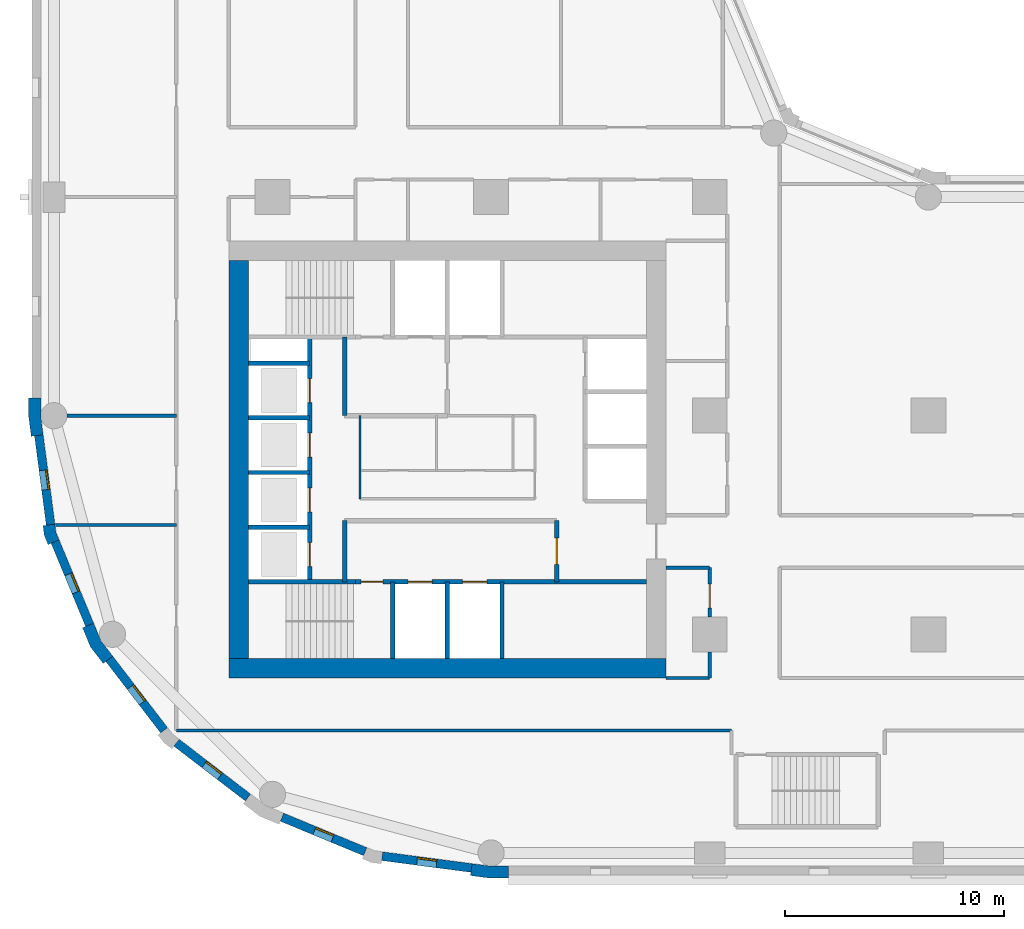
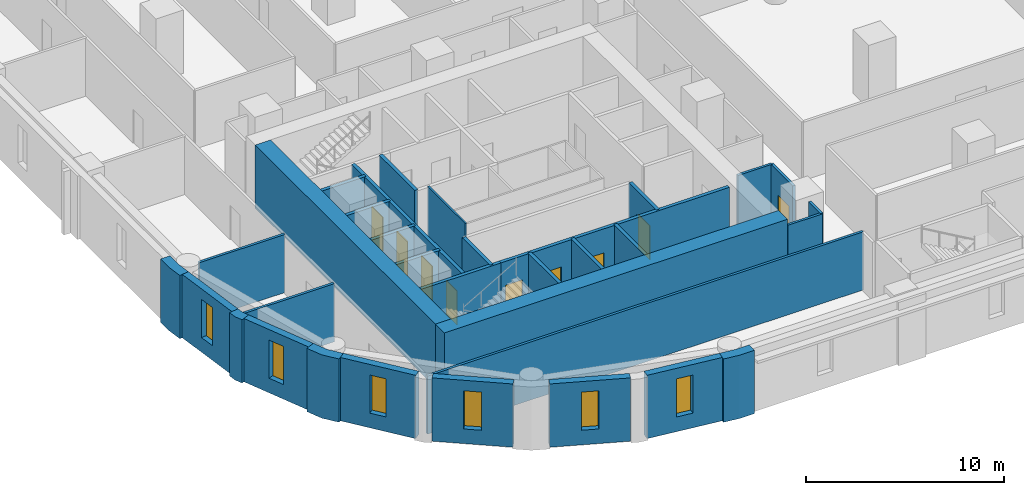
# One storey, part 2 of 10: 33 walls, 9 doors, 6 windows, 15 openings.
"""IFC4 building model written with IfcOpenShell, lengths in metres."""

from ifc_helpers import new_model, si_unit, direction, frame, frame_2d, origin, place, context, subcontext, project, spatial, polyline, rectangle, outline, extrude, material, layer, layer_set, type_object, element, fill, save


model = new_model("IFC4")

# Units and contexts
model_context = context("Model", 3, precision=1e-05, world=origin(), true_north=direction((0.0, 1.0)))
body_context = subcontext(model_context, "Body", "Model", "MODEL_VIEW")
ifc_project = project(units=[si_unit("LENGTHUNIT", "METRE"), si_unit("AREAUNIT", "SQUARE_METRE"), si_unit("VOLUMEUNIT", "CUBIC_METRE"), si_unit("PLANEANGLEUNIT", "RADIAN"), si_unit("MASSUNIT", "GRAM", prefix="KILO")], contexts=[model_context])

# Site, building, storey
site_placement = place(None, origin())
site = spatial("IfcSite", under=ifc_project, at=site_placement, CompositionType="ELEMENT")
building_placement = place(site_placement, origin())
building = spatial("IfcBuilding", under=site, at=building_placement, Name="Qaws Garden Tower", CompositionType="ELEMENT")
storey_placement = place(building_placement, frame((0.0, 0.0, 62.699951171875)))
storey = spatial("IfcBuildingStorey", under=building, at=storey_placement, Name="L15", CompositionType="ELEMENT", Elevation=62.699951171875)

# Wall, opening, window
ifc_material_1 = material(Name="Clay facing brick masonry", Category="masonry")
ifc_layer_1 = layer(ifc_material_1, 0.39990234375)
ifc_layer_set_1 = layer_set([ifc_layer_1], Name="Clay facing brick masonry")
wall_type_1 = type_object("IfcWallType", Name="Brick infill wall 400", PredefinedType="SOLIDWALL", material=ifc_layer_set_1)
wall_1_placement = place(storey_placement, frame((-0.688720703125, 19.102294921875, 0.0), z_axis=(0.0, 0.0, 1.0), x_axis=(0.130514280502, -0.991446429508, 0.0)))
wall_1 = element("IfcWall", 1, at=wall_1_placement, inside=storey, type_object=wall_type_1, Name="E-L15-infill-27", PredefinedType="SOLIDWALL", context=body_context, shape_type="SweptSolid", body=[
    extrude(rectangle(XDim=4.120849609375, YDim=0.39990234375, at=frame_2d((2.060546875, 0.0))), origin(), (0.0, 0.0, 1.0), 3.900146484375),
])
opening_1_placement = place(wall_1_placement, frame((1.610595703125, 0.0, 0.89990234375)))
opening_1 = element("IfcOpeningElement", 2, at=opening_1_placement, cuts=wall_1, Name="Opening W09", PredefinedType="OPENING", context=body_context, shape_type="SweptSolid", body=[
    extrude(rectangle(XDim=0.89990234375, YDim=2.35009765625, at=frame_2d((0.449951171875, 1.175048828125))), frame((0.0, 0.2099609375, 0.0), z_axis=(0.0, -1.0, 0.0), x_axis=(1.0, 0.0, 0.0)), (0.0, 0.0, 1.0), 0.419921875),
])
ifc_material_2 = material(Name="Aluminium framed window, clear glazing", Category="aluminium")
window_type = type_object("IfcWindowType", Name="Slit window 900 x 2350", PartitioningType="SINGLE_PANEL", PredefinedType="WINDOW", material=ifc_material_2)
window_1_placement = place(opening_1_placement, origin())
window_1 = element("IfcWindow", 3, at=window_1_placement, inside=storey, type_object=window_type, Name="E-L15-window-27-0", OverallHeight=2.35009765625, OverallWidth=0.89990234375, PartitioningType="SINGLE_PANEL", PredefinedType="WINDOW", context=body_context, shape_type="SweptSolid", body=[
    extrude(rectangle(XDim=0.89990234375, YDim=2.35009765625, at=frame_2d((0.449951171875, 1.175048828125))), frame((0.0, 0.159912109375, 0.0), z_axis=(0.0, -1.0, 0.0), x_axis=(1.0, 0.0, 0.0)), (0.0, 0.0, 1.0), 0.06005859375),
])
fill(opening_1, window_1)

wall_2_placement = place(storey_placement, frame((0.05712890625, 14.240234375, 0.0), z_axis=(0.0, 0.0, 1.0), x_axis=(0.382721546029, -0.923863744394, 0.0)))
wall_2 = element("IfcWall", 4, at=wall_2_placement, inside=storey, type_object=wall_type_1, Name="E-L15-infill-28", PredefinedType="SOLIDWALL", context=body_context, shape_type="SweptSolid", body=[
    extrude(rectangle(XDim=4.120849609375, YDim=0.39990234375, at=frame_2d((2.060546875, 0.0))), origin(), (0.0, 0.0, 1.0), 3.900146484375),
])
opening_2_placement = place(wall_2_placement, frame((1.610595703125, 0.0, 0.89990234375)))
opening_2 = element("IfcOpeningElement", 5, at=opening_2_placement, cuts=wall_2, Name="Opening W09", PredefinedType="OPENING", context=body_context, shape_type="SweptSolid", body=[
    extrude(rectangle(XDim=0.89990234375, YDim=2.35009765625, at=frame_2d((0.449951171875, 1.175048828125))), frame((0.0, 0.2099609375, 0.0), z_axis=(0.0, -1.0, 0.0), x_axis=(1.0, 0.0, 0.0)), (0.0, 0.0, 1.0), 0.419921875),
])
window_2_placement = place(opening_2_placement, origin())
window_2 = element("IfcWindow", 6, at=window_2_placement, inside=storey, type_object=window_type, Name="E-L15-window-28-0", OverallHeight=2.35009765625, OverallWidth=0.89990234375, PartitioningType="SINGLE_PANEL", PredefinedType="WINDOW", context=body_context, shape_type="SweptSolid", body=[
    extrude(rectangle(XDim=0.89990234375, YDim=2.35009765625, at=frame_2d((0.449951171875, 1.175048828125))), frame((0.0, 0.159912109375, 0.0), z_axis=(0.0, -1.0, 0.0), x_axis=(1.0, 0.0, 0.0)), (0.0, 0.0, 1.0), 0.06005859375),
])
fill(opening_2, window_2)

wall_3_placement = place(storey_placement, frame((2.53173828125, 8.87841796875, 0.0), z_axis=(0.0, 0.0, 1.0), x_axis=(0.608759824817, -0.793354571229, 0.0)))
wall_3 = element("IfcWall", 7, at=wall_3_placement, inside=storey, type_object=wall_type_1, Name="E-L15-infill-29", PredefinedType="SOLIDWALL", context=body_context, shape_type="SweptSolid", body=[
    extrude(rectangle(XDim=4.12109375, YDim=0.39990234375, at=frame_2d((2.060546875, 0.0))), origin(), (0.0, 0.0, 1.0), 3.900146484375),
])
opening_3_placement = place(wall_3_placement, frame((1.610595703125, 0.0, 0.89990234375)))
opening_3 = element("IfcOpeningElement", 8, at=opening_3_placement, cuts=wall_3, Name="Opening W09", PredefinedType="OPENING", context=body_context, shape_type="SweptSolid", body=[
    extrude(rectangle(XDim=0.89990234375, YDim=2.35009765625, at=frame_2d((0.449951171875, 1.175048828125))), frame((0.0, 0.2099609375, 0.0), z_axis=(0.0, -1.0, 0.0), x_axis=(1.0, 0.0, 0.0)), (0.0, 0.0, 1.0), 0.419921875),
])
window_3_placement = place(opening_3_placement, origin())
window_3 = element("IfcWindow", 9, at=window_3_placement, inside=storey, type_object=window_type, Name="E-L15-window-29-0", OverallHeight=2.35009765625, OverallWidth=0.89990234375, PartitioningType="SINGLE_PANEL", PredefinedType="WINDOW", context=body_context, shape_type="SweptSolid", body=[
    extrude(rectangle(XDim=0.89990234375, YDim=2.35009765625, at=frame_2d((0.449951171875, 1.175048828125))), frame((0.0, 0.159912109375, 0.0), z_axis=(0.0, -1.0, 0.0), x_axis=(1.0, 0.0, 0.0)), (0.0, 0.0, 1.0), 0.06005859375),
])
fill(opening_3, window_3)

wall_4_placement = place(storey_placement, frame((5.60888671875, 5.04052734375, 0.0), z_axis=(0.0, 0.0, 1.0), x_axis=(0.793354571229, -0.608759824817, 0.0)))
wall_4 = element("IfcWall", 10, at=wall_4_placement, inside=storey, type_object=wall_type_1, Name="E-L15-infill-30", PredefinedType="SOLIDWALL", context=body_context, shape_type="SweptSolid", body=[
    extrude(rectangle(XDim=4.12109375, YDim=0.39990234375, at=frame_2d((2.060546875, 0.0))), origin(), (0.0, 0.0, 1.0), 3.900146484375),
])
opening_4_placement = place(wall_4_placement, frame((1.610595703125, 0.0, 0.89990234375)))
opening_4 = element("IfcOpeningElement", 11, at=opening_4_placement, cuts=wall_4, Name="Opening W09", PredefinedType="OPENING", context=body_context, shape_type="SweptSolid", body=[
    extrude(rectangle(XDim=0.89990234375, YDim=2.35009765625, at=frame_2d((0.449951171875, 1.175048828125))), frame((0.0, 0.2099609375, 0.0), z_axis=(0.0, -1.0, 0.0), x_axis=(1.0, 0.0, 0.0)), (0.0, 0.0, 1.0), 0.419921875),
])
window_4_placement = place(opening_4_placement, origin())
window_4 = element("IfcWindow", 12, at=window_4_placement, inside=storey, type_object=window_type, Name="E-L15-window-30-0", OverallHeight=2.35009765625, OverallWidth=0.89990234375, PartitioningType="SINGLE_PANEL", PredefinedType="WINDOW", context=body_context, shape_type="SweptSolid", body=[
    extrude(rectangle(XDim=0.89990234375, YDim=2.35009765625, at=frame_2d((0.449951171875, 1.175048828125))), frame((0.0, 0.159912109375, 0.0), z_axis=(0.0, -1.0, 0.0), x_axis=(1.0, 0.0, 0.0)), (0.0, 0.0, 1.0), 0.06005859375),
])
fill(opening_4, window_4)

wall_5_placement = place(storey_placement, frame((10.43310546875, 1.63427734375, 0.0), z_axis=(0.0, 0.0, 1.0), x_axis=(0.923863744394, -0.382721546029, 0.0)))
wall_5 = element("IfcWall", 13, at=wall_5_placement, inside=storey, type_object=wall_type_1, Name="E-L15-infill-31", PredefinedType="SOLIDWALL", context=body_context, shape_type="SweptSolid", body=[
    extrude(rectangle(XDim=4.120849609375, YDim=0.39990234375, at=frame_2d((2.060546875, 0.0))), origin(), (0.0, 0.0, 1.0), 3.900146484375),
])
opening_5_placement = place(wall_5_placement, frame((1.610595703125, 0.0, 0.89990234375)))
opening_5 = element("IfcOpeningElement", 14, at=opening_5_placement, cuts=wall_5, Name="Opening W09", PredefinedType="OPENING", context=body_context, shape_type="SweptSolid", body=[
    extrude(rectangle(XDim=0.89990234375, YDim=2.35009765625, at=frame_2d((0.449951171875, 1.175048828125))), frame((0.0, 0.2099609375, 0.0), z_axis=(0.0, -1.0, 0.0), x_axis=(1.0, 0.0, 0.0)), (0.0, 0.0, 1.0), 0.419921875),
])
window_5_placement = place(opening_5_placement, origin())
window_5 = element("IfcWindow", 15, at=window_5_placement, inside=storey, type_object=window_type, Name="E-L15-window-31-0", OverallHeight=2.35009765625, OverallWidth=0.89990234375, PartitioningType="SINGLE_PANEL", PredefinedType="WINDOW", context=body_context, shape_type="SweptSolid", body=[
    extrude(rectangle(XDim=0.89990234375, YDim=2.35009765625, at=frame_2d((0.449951171875, 1.175048828125))), frame((0.0, 0.159912109375, 0.0), z_axis=(0.0, -1.0, 0.0), x_axis=(1.0, 0.0, 0.0)), (0.0, 0.0, 1.0), 0.06005859375),
])
fill(opening_5, window_5)

wall_6_placement = place(storey_placement, frame((15.0166015625, -0.15087890625, 0.0), z_axis=(0.0, 0.0, 1.0), x_axis=(0.991446429508, -0.130514280502, 0.0)))
wall_6 = element("IfcWall", 16, at=wall_6_placement, inside=storey, type_object=wall_type_1, Name="E-L15-infill-32", PredefinedType="SOLIDWALL", context=body_context, shape_type="SweptSolid", body=[
    extrude(rectangle(XDim=4.120849609375, YDim=0.39990234375, at=frame_2d((2.060546875, 0.0))), origin(), (0.0, 0.0, 1.0), 3.900146484375),
])
opening_6_placement = place(wall_6_placement, frame((1.610595703125, 0.0, 0.89990234375)))
opening_6 = element("IfcOpeningElement", 17, at=opening_6_placement, cuts=wall_6, Name="Opening W09", PredefinedType="OPENING", context=body_context, shape_type="SweptSolid", body=[
    extrude(rectangle(XDim=0.89990234375, YDim=2.35009765625, at=frame_2d((0.449951171875, 1.175048828125))), frame((0.0, 0.2099609375, 0.0), z_axis=(0.0, -1.0, 0.0), x_axis=(1.0, 0.0, 0.0)), (0.0, 0.0, 1.0), 0.419921875),
])
window_6_placement = place(opening_6_placement, origin())
window_6 = element("IfcWindow", 18, at=window_6_placement, inside=storey, type_object=window_type, Name="E-L15-window-32-0", OverallHeight=2.35009765625, OverallWidth=0.89990234375, PartitioningType="SINGLE_PANEL", PredefinedType="WINDOW", context=body_context, shape_type="SweptSolid", body=[
    extrude(rectangle(XDim=0.89990234375, YDim=2.35009765625, at=frame_2d((0.449951171875, 1.175048828125))), frame((0.0, 0.159912109375, 0.0), z_axis=(0.0, -1.0, 0.0), x_axis=(1.0, 0.0, 0.0)), (0.0, 0.0, 1.0), 0.06005859375),
])
fill(opening_6, window_6)

# Walls
ifc_material_3 = material(Name="Clay facing brick masonry", Category="masonry")
ifc_layer_2 = layer(ifc_material_3, 0.550048828125)
ifc_layer_set_2 = layer_set([ifc_layer_2], Name="Clay facing brick masonry")
wall_type_2 = type_object("IfcWallType", Name="Brick kink pier 550 x 600", PredefinedType="SOLIDWALL", material=ifc_layer_set_2)
placement = place(storey_placement, origin())
element("IfcWall", 19, at=placement, inside=storey, type_object=wall_type_2, Name="E-L15-pier-28", PredefinedType="SOLIDWALL", context=body_context, shape_type="SweptSolid", body=[
    extrude(outline(polyline([(-0.34912109375, 14.990478515625), (-0.497802734375, 14.970947265625), (-0.43896484375, 14.5234375), (-0.26611328125, 14.1064453125), (-0.127685546875, 14.163818359375), (0.241943359375, 14.31689453125), (0.096923828125, 14.6669921875), (0.04736328125, 15.042724609375), (-0.34912109375, 14.990478515625)])), origin(), (0.0, 0.0, 1.0), 3.900146484375),
])
ifc_material_4 = material(Name="Clay facing brick masonry", Category="masonry")
ifc_layer_3 = layer(ifc_material_4, 0.550048828125)
ifc_layer_set_3 = layer_set([ifc_layer_3], Name="Clay facing brick masonry")
wall_type_3 = type_object("IfcWallType", Name="Brick pier 550 x 1600", PredefinedType="SOLIDWALL", material=ifc_layer_set_3)
element("IfcWall", 20, at=placement, inside=storey, type_object=wall_type_3, Name="E-L15-pier-00", PredefinedType="SOLIDWALL", context=body_context, shape_type="SweptSolid", body=[
    extrude(outline(polyline([(19.076416015625, -0.886962890625), (19.056640625, -1.03564453125), (19.924560546875, -1.14990234375), (20.800048828125, -1.14990234375), (20.800048828125, -1.0), (20.800048828125, -0.60009765625), (19.960693359375, -0.60009765625), (19.12841796875, -0.490478515625), (19.076416015625, -0.886962890625)])), origin(), (0.0, 0.0, 1.0), 3.900146484375),
])
element("IfcWall", 21, at=placement, inside=storey, type_object=wall_type_3, Name="E-L15-pier-27", PredefinedType="SOLIDWALL", context=body_context, shape_type="SweptSolid", body=[
    extrude(outline(polyline([(-1.0, 20.800048828125), (-1.14990234375, 20.800048828125), (-1.14990234375, 19.924560546875), (-1.03564453125, 19.056640625), (-0.886962890625, 19.076416015625), (-0.490478515625, 19.12841796875), (-0.60009765625, 19.960693359375), (-0.60009765625, 20.800048828125), (-1.0, 20.800048828125)])), origin(), (0.0, 0.0, 1.0), 3.900146484375),
])
element("IfcWall", 22, at=placement, inside=storey, type_object=wall_type_3, Name="E-L15-pier-29", PredefinedType="SOLIDWALL", context=body_context, shape_type="SweptSolid", body=[
    extrude(outline(polyline([(1.449462890625, 10.3564453125), (1.310791015625, 10.299072265625), (1.675048828125, 9.419921875), (2.254150390625, 8.665283203125), (2.373046875, 8.756591796875), (2.6904296875, 9.0), (2.1552734375, 9.697509765625), (1.819091796875, 10.509521484375), (1.449462890625, 10.3564453125)])), origin(), (0.0, 0.0, 1.0), 3.900146484375),
])
ifc_material_5 = material(Name="Plasterboard")
ifc_layer_4 = layer(ifc_material_5, 0.10009765625)
ifc_layer_set_4 = layer_set([ifc_layer_4], Name="Plasterboard")
wall_type_4 = type_object("IfcWallType", Name="Core partition 100", PredefinedType="PARTITIONING", material=ifc_layer_set_4)
wall_11_placement = place(storey_placement, frame((14.0, 16.199951171875, 0.0), z_axis=(0.0, 0.0, 1.0), x_axis=(0.0, 1.0, 0.0)))
element("IfcWall", 23, at=wall_11_placement, inside=storey, type_object=wall_type_4, Name="Core partition", PredefinedType="PARTITIONING", context=body_context, shape_type="SweptSolid", body=[
    extrude(rectangle(XDim=3.800048828125, YDim=0.10009765625, at=frame_2d((1.89990234375, 0.0))), origin(), (0.0, 0.0, 1.0), 3.580078125),
])
ifc_material_6 = material(Name="Concrete C80", Category="concrete")
ifc_layer_5 = layer(ifc_material_6, 0.199951171875)
ifc_layer_set_5 = layer_set([ifc_layer_5], Name="Concrete C80")
wall_type_5 = type_object("IfcWallType", Name="Core shaft wall 200 C80", PredefinedType="SHEAR", material=ifc_layer_set_5)
wall_12_placement = place(storey_placement, frame((8.89990234375, 12.39990234375, 0.0), z_axis=(0.0, 0.0, 1.0), x_axis=(1.0, 0.0, 0.0)))
element("IfcWall", 24, at=wall_12_placement, inside=storey, type_object=wall_type_5, Name="Shaft wall", PredefinedType="SHEAR", context=body_context, shape_type="SweptSolid", body=[
    extrude(rectangle(XDim=4.900146484375, YDim=0.199951171875, at=frame_2d((2.4501953125, 0.0))), origin(), (0.0, 0.0, 1.0), 3.580078125),
])

# Wall, openings, doors
wall_13_placement = place(storey_placement, frame((13.800048828125, 12.39990234375, 0.0), z_axis=(0.0, 0.0, 1.0), x_axis=(1.0, 0.0, 0.0)))
wall_13 = element("IfcWall", 25, at=wall_13_placement, inside=storey, type_object=wall_type_5, Name="Shaft wall", PredefinedType="SHEAR", context=body_context, shape_type="SweptSolid", body=[
    extrude(rectangle(XDim=13.300048828125, YDim=0.199951171875, at=frame_2d((6.64990234375, 0.0))), origin(), (0.0, 0.0, 1.0), 3.580078125),
])
opening_7_placement = place(wall_13_placement, frame((2.39990234375, 0.0, 0.0)))
opening_7 = element("IfcOpeningElement", 26, at=opening_7_placement, cuts=wall_13, Name="Opening LD06", PredefinedType="OPENING", context=body_context, shape_type="SweptSolid", body=[
    extrude(rectangle(XDim=1.10009765625, YDim=2.10009765625, at=frame_2d((0.550048828125, 1.050048828125))), frame((0.0, 0.10986328125, 0.0), z_axis=(0.0, -1.0, 0.0), x_axis=(1.0, 0.0, 0.0)), (0.0, 0.0, 1.0), 0.219970703125),
])
opening_8_placement = place(wall_13_placement, frame((4.89990234375, 0.0, 0.0)))
opening_8 = element("IfcOpeningElement", 27, at=opening_8_placement, cuts=wall_13, Name="Opening LD07", PredefinedType="OPENING", context=body_context, shape_type="SweptSolid", body=[
    extrude(rectangle(XDim=1.10009765625, YDim=2.10009765625, at=frame_2d((0.550048828125, 1.050048828125))), frame((0.0, 0.10986328125, 0.0), z_axis=(0.0, -1.0, 0.0), x_axis=(1.0, 0.0, 0.0)), (0.0, 0.0, 1.0), 0.219970703125),
])
opening_9_placement = place(wall_13_placement, frame((0.25, 0.0, 0.0)))
opening_9 = element("IfcOpeningElement", 28, at=opening_9_placement, cuts=wall_13, Name="Opening SD10", PredefinedType="OPENING", context=body_context, shape_type="SweptSolid", body=[
    extrude(rectangle(XDim=1.0, YDim=2.10009765625, at=frame_2d((0.5, 1.050048828125))), frame((0.0, 0.10986328125, 0.0), z_axis=(0.0, -1.0, 0.0), x_axis=(1.0, 0.0, 0.0)), (0.0, 0.0, 1.0), 0.219970703125),
])
ifc_material_7 = material(Name="Steel S235", Category="steel")
door_type_1 = type_object("IfcDoorType", Name="Landing door 1100x2100", OperationType="DOUBLE_DOOR_SLIDING", PredefinedType="DOOR", material=ifc_material_7)
door_1_placement = place(opening_7_placement, origin())
door_1 = element("IfcDoor", 29, at=door_1_placement, inside=storey, type_object=door_type_1, Name="Lift FF1 landing door", OperationType="DOUBLE_DOOR_SLIDING", OverallHeight=2.10009765625, OverallWidth=1.10009765625, PredefinedType="DOOR", context=body_context, shape_type="SweptSolid", body=[
    extrude(rectangle(XDim=1.10009765625, YDim=2.10009765625, at=frame_2d((0.550048828125, 1.050048828125))), frame((0.0, 0.02490234375, 0.0), z_axis=(0.0, -1.0, 0.0), x_axis=(1.0, 0.0, 0.0)), (0.0, 0.0, 1.0), 0.050048828125),
])
fill(opening_7, door_1)
door_2_placement = place(opening_8_placement, origin())
door_2 = element("IfcDoor", 30, at=door_2_placement, inside=storey, type_object=door_type_1, Name="Lift FF2 landing door", OperationType="DOUBLE_DOOR_SLIDING", OverallHeight=2.10009765625, OverallWidth=1.10009765625, PredefinedType="DOOR", context=body_context, shape_type="SweptSolid", body=[
    extrude(rectangle(XDim=1.10009765625, YDim=2.10009765625, at=frame_2d((0.550048828125, 1.050048828125))), frame((0.0, 0.02490234375, 0.0), z_axis=(0.0, -1.0, 0.0), x_axis=(1.0, 0.0, 0.0)), (0.0, 0.0, 1.0), 0.050048828125),
])
fill(opening_8, door_2)
ifc_material_8 = material(Name="Steel S235", Category="steel")
door_type_2 = type_object("IfcDoorType", Name="Stair door 1000x2100", OperationType="SINGLE_SWING_RIGHT", PredefinedType="DOOR", material=ifc_material_8)
door_3_placement = place(opening_9_placement, frame((1.0, 0.0, 0.0), z_axis=(0.0, 0.0, 1.0), x_axis=(-1.0, 0.0, 0.0)))
door_3 = element("IfcDoor", 31, at=door_3_placement, inside=storey, type_object=door_type_2, Name="Stair 1 door", OperationType="SINGLE_SWING_LEFT", OverallHeight=2.10009765625, OverallWidth=1.0, PredefinedType="DOOR", context=body_context, shape_type="SweptSolid", body=[
    extrude(rectangle(XDim=1.0, YDim=2.10009765625, at=frame_2d((0.5, 1.050048828125))), frame((0.0, 0.02490234375, 0.0), z_axis=(0.0, -1.0, 0.0), x_axis=(1.0, 0.0, 0.0)), (0.0, 0.0, 1.0), 0.050048828125),
])
fill(opening_9, door_3)

# Walls
for number, where, z_axis, x_axis, name in (
    (32, (8.89990234375, 14.89990234375, 0.0), (0.0, 0.0, 1.0), (1.0, 0.0, 0.0), "Shaft wall"),
    (33, (8.89990234375, 17.39990234375, 0.0), (0.0, 0.0, 1.0), (1.0, 0.0, 0.0), "Shaft wall"),
    (34, (8.89990234375, 19.89990234375, 0.0), (0.0, 0.0, 1.0), (1.0, 0.0, 0.0), "Shaft wall"),
    (35, (8.89990234375, 22.39990234375, 0.0), (0.0, 0.0, 1.0), (1.0, 0.0, 0.0), "Shaft wall"),
):
    element("IfcWall", number, at=place(storey_placement, frame(where, z_axis=z_axis, x_axis=x_axis)), inside=storey, type_object=wall_type_5, Name=name, PredefinedType="SHEAR", context=body_context, shape_type="SweptSolid", body=[
        extrude(rectangle(XDim=2.800048828125, YDim=0.199951171875, at=frame_2d((1.39990234375, 0.0))), origin(), (0.0, 0.0, 1.0), 3.580078125),
    ])

# Wall, openings, doors
wall_14_placement = place(storey_placement, frame((11.699951171875, 12.39990234375, 0.0), z_axis=(0.0, 0.0, 1.0), x_axis=(0.0, 1.0, 0.0)))
wall_14 = element("IfcWall", 36, at=wall_14_placement, inside=storey, type_object=wall_type_5, Name="Shaft wall", PredefinedType="SHEAR", context=body_context, shape_type="SweptSolid", body=[
    extrude(rectangle(XDim=11.2001953125, YDim=0.199951171875, at=frame_2d((5.60009765625, 0.0))), origin(), (0.0, 0.0, 1.0), 3.580078125),
])
opening_10_placement = place(wall_14_placement, frame((0.699951171875, 0.0, 0.0)))
opening_10 = element("IfcOpeningElement", 37, at=opening_10_placement, cuts=wall_14, Name="Opening LD01", PredefinedType="OPENING", context=body_context, shape_type="SweptSolid", body=[
    extrude(rectangle(XDim=1.10009765625, YDim=2.10009765625, at=frame_2d((0.550048828125, 1.050048828125))), frame((0.0, 0.10986328125, 0.0), z_axis=(0.0, -1.0, 0.0), x_axis=(1.0, 0.0, 0.0)), (0.0, 0.0, 1.0), 0.219970703125),
])
opening_11_placement = place(wall_14_placement, frame((3.199951171875, 0.0, 0.0)))
opening_11 = element("IfcOpeningElement", 38, at=opening_11_placement, cuts=wall_14, Name="Opening LD02", PredefinedType="OPENING", context=body_context, shape_type="SweptSolid", body=[
    extrude(rectangle(XDim=1.10009765625, YDim=2.10009765625, at=frame_2d((0.550048828125, 1.050048828125))), frame((0.0, 0.10986328125, 0.0), z_axis=(0.0, -1.0, 0.0), x_axis=(1.0, 0.0, 0.0)), (0.0, 0.0, 1.0), 0.219970703125),
])
opening_12_placement = place(wall_14_placement, frame((5.699951171875, 0.0, 0.0)))
opening_12 = element("IfcOpeningElement", 39, at=opening_12_placement, cuts=wall_14, Name="Opening LD03", PredefinedType="OPENING", context=body_context, shape_type="SweptSolid", body=[
    extrude(rectangle(XDim=1.10009765625, YDim=2.10009765625, at=frame_2d((0.550048828125, 1.050048828125))), frame((0.0, 0.10986328125, 0.0), z_axis=(0.0, -1.0, 0.0), x_axis=(1.0, 0.0, 0.0)), (0.0, 0.0, 1.0), 0.219970703125),
])
opening_13_placement = place(wall_14_placement, frame((8.199951171875, 0.0, 0.0)))
opening_13 = element("IfcOpeningElement", 40, at=opening_13_placement, cuts=wall_14, Name="Opening LD04", PredefinedType="OPENING", context=body_context, shape_type="SweptSolid", body=[
    extrude(rectangle(XDim=1.10009765625, YDim=2.10009765625, at=frame_2d((0.550048828125, 1.050048828125))), frame((0.0, 0.10986328125, 0.0), z_axis=(0.0, -1.0, 0.0), x_axis=(1.0, 0.0, 0.0)), (0.0, 0.0, 1.0), 0.219970703125),
])
door_4_placement = place(opening_10_placement, origin())
door_4 = element("IfcDoor", 41, at=door_4_placement, inside=storey, type_object=door_type_1, Name="Lift W1 landing door", OperationType="DOUBLE_DOOR_SLIDING", OverallHeight=2.10009765625, OverallWidth=1.10009765625, PredefinedType="DOOR", context=body_context, shape_type="SweptSolid", body=[
    extrude(rectangle(XDim=1.10009765625, YDim=2.10009765625, at=frame_2d((0.550048828125, 1.050048828125))), frame((0.0, 0.02490234375, 0.0), z_axis=(0.0, -1.0, 0.0), x_axis=(1.0, 0.0, 0.0)), (0.0, 0.0, 1.0), 0.050048828125),
])
fill(opening_10, door_4)
door_5_placement = place(opening_11_placement, origin())
door_5 = element("IfcDoor", 42, at=door_5_placement, inside=storey, type_object=door_type_1, Name="Lift W2 landing door", OperationType="DOUBLE_DOOR_SLIDING", OverallHeight=2.10009765625, OverallWidth=1.10009765625, PredefinedType="DOOR", context=body_context, shape_type="SweptSolid", body=[
    extrude(rectangle(XDim=1.10009765625, YDim=2.10009765625, at=frame_2d((0.550048828125, 1.050048828125))), frame((0.0, 0.02490234375, 0.0), z_axis=(0.0, -1.0, 0.0), x_axis=(1.0, 0.0, 0.0)), (0.0, 0.0, 1.0), 0.050048828125),
])
fill(opening_11, door_5)
door_6_placement = place(opening_12_placement, origin())
door_6 = element("IfcDoor", 43, at=door_6_placement, inside=storey, type_object=door_type_1, Name="Lift W3 landing door", OperationType="DOUBLE_DOOR_SLIDING", OverallHeight=2.10009765625, OverallWidth=1.10009765625, PredefinedType="DOOR", context=body_context, shape_type="SweptSolid", body=[
    extrude(rectangle(XDim=1.10009765625, YDim=2.10009765625, at=frame_2d((0.550048828125, 1.050048828125))), frame((0.0, 0.02490234375, 0.0), z_axis=(0.0, -1.0, 0.0), x_axis=(1.0, 0.0, 0.0)), (0.0, 0.0, 1.0), 0.050048828125),
])
fill(opening_12, door_6)
door_7_placement = place(opening_13_placement, origin())
door_7 = element("IfcDoor", 44, at=door_7_placement, inside=storey, type_object=door_type_1, Name="Lift W4 landing door", OperationType="DOUBLE_DOOR_SLIDING", OverallHeight=2.10009765625, OverallWidth=1.10009765625, PredefinedType="DOOR", context=body_context, shape_type="SweptSolid", body=[
    extrude(rectangle(XDim=1.10009765625, YDim=2.10009765625, at=frame_2d((0.550048828125, 1.050048828125))), frame((0.0, 0.02490234375, 0.0), z_axis=(0.0, -1.0, 0.0), x_axis=(1.0, 0.0, 0.0)), (0.0, 0.0, 1.0), 0.050048828125),
])
fill(opening_13, door_7)

# Walls
wall_15_placement = place(storey_placement, frame((13.300048828125, 12.39990234375, 0.0), z_axis=(0.0, 0.0, 1.0), x_axis=(0.0, 1.0, 0.0)))
element("IfcWall", 45, at=wall_15_placement, inside=storey, type_object=wall_type_5, Name="Shaft wall", PredefinedType="SHEAR", context=body_context, shape_type="SweptSolid", body=[
    extrude(rectangle(XDim=2.800048828125, YDim=0.199951171875, at=frame_2d((1.39990234375, 0.0))), origin(), (0.0, 0.0, 1.0), 3.580078125),
])
wall_16_placement = place(storey_placement, frame((13.300048828125, 20.0, 0.0), z_axis=(0.0, 0.0, 1.0), x_axis=(0.0, 1.0, 0.0)))
element("IfcWall", 46, at=wall_16_placement, inside=storey, type_object=wall_type_5, Name="Shaft wall", PredefinedType="SHEAR", context=body_context, shape_type="SweptSolid", body=[
    extrude(rectangle(XDim=3.60009765625, YDim=0.199951171875, at=frame_2d((1.800048828125, 0.0))), origin(), (0.0, 0.0, 1.0), 3.580078125),
])
for number, where, z_axis, x_axis, name in (
    (47, (15.5, 8.89990234375, 0.0), (0.0, 0.0, 1.0), (0.0, 1.0, 0.0), "Shaft wall"),
    (48, (18.0, 8.89990234375, 0.0), (0.0, 0.0, 1.0), (0.0, 1.0, 0.0), "Shaft wall"),
    (49, (20.5, 8.89990234375, 0.0), (0.0, 0.0, 1.0), (0.0, 1.0, 0.0), "Shaft wall"),
):
    element("IfcWall", number, at=place(storey_placement, frame(where, z_axis=z_axis, x_axis=x_axis)), inside=storey, type_object=wall_type_5, Name=name, PredefinedType="SHEAR", context=body_context, shape_type="SweptSolid", body=[
        extrude(rectangle(XDim=3.5, YDim=0.199951171875, at=frame_2d((1.75, 0.0))), origin(), (0.0, 0.0, 1.0), 3.580078125),
    ])

# Wall, opening, door
wall_17_placement = place(storey_placement, frame((23.0, 12.39990234375, 0.0), z_axis=(0.0, 0.0, 1.0), x_axis=(0.0, 1.0, 0.0)))
wall_17 = element("IfcWall", 50, at=wall_17_placement, inside=storey, type_object=wall_type_5, Name="Shaft wall", PredefinedType="SHEAR", context=body_context, shape_type="SweptSolid", body=[
    extrude(rectangle(XDim=2.800048828125, YDim=0.199951171875, at=frame_2d((1.39990234375, 0.0))), origin(), (0.0, 0.0, 1.0), 3.580078125),
])
opening_14_placement = place(wall_17_placement, frame((0.800048828125, 0.0, 0.0)))
opening_14 = element("IfcOpeningElement", 51, at=opening_14_placement, cuts=wall_17, Name="Opening FD15", PredefinedType="OPENING", context=body_context, shape_type="SweptSolid", body=[
    extrude(rectangle(XDim=1.199951171875, YDim=2.10009765625, at=frame_2d((0.60009765625, 1.050048828125))), frame((0.0, 0.10986328125, 0.0), z_axis=(0.0, -1.0, 0.0), x_axis=(1.0, 0.0, 0.0)), (0.0, 0.0, 1.0), 0.219970703125),
])
ifc_material_9 = material(Name="Steel S235", Category="steel")
door_type_3 = type_object("IfcDoorType", Name="Lobby door 1200x2100", OperationType="DOUBLE_DOOR_SINGLE_SWING", PredefinedType="DOOR", material=ifc_material_9)
door_8_placement = place(opening_14_placement, origin())
door_8 = element("IfcDoor", 52, at=door_8_placement, inside=storey, type_object=door_type_3, Name="Fire-fighting lobby door", OperationType="DOUBLE_DOOR_SINGLE_SWING", OverallHeight=2.10009765625, OverallWidth=1.199951171875, PredefinedType="DOOR", context=body_context, shape_type="SweptSolid", body=[
    extrude(rectangle(XDim=1.199951171875, YDim=2.10009765625, at=frame_2d((0.60009765625, 1.050048828125))), frame((0.0, 0.02490234375, 0.0), z_axis=(0.0, -1.0, 0.0), x_axis=(1.0, 0.0, 0.0)), (0.0, 0.0, 1.0), 0.050048828125),
])
fill(opening_14, door_8)

# Walls
ifc_material_10 = material(Name="Concrete C80", Category="concrete")
ifc_layer_6 = layer(ifc_material_10, 0.89990234375)
ifc_layer_set_6 = layer_set([ifc_layer_6], Name="Concrete C80")
wall_type_6 = type_object("IfcWallType", Name="Core wall 900 C80", PredefinedType="SHEAR", material=ifc_layer_set_6)
wall_18_placement = place(storey_placement, frame((8.0, 8.449951171875, 0.0), z_axis=(0.0, 0.0, 1.0), x_axis=(1.0, 0.0, 0.0)))
element("IfcWall", 53, at=wall_18_placement, inside=storey, type_object=wall_type_6, Name="Core wall L15 south", PredefinedType="SHEAR", context=body_context, shape_type="SweptSolid", body=[
    extrude(rectangle(XDim=20.0, YDim=0.89990234375, at=frame_2d((10.0, 0.0))), origin(), (0.0, 0.0, 1.0), 3.900146484375),
])
wall_19_placement = place(storey_placement, frame((8.449951171875, 27.10009765625, 0.0), z_axis=(0.0, 0.0, 1.0), x_axis=(0.0, -1.0, 0.0)))
element("IfcWall", 54, at=wall_19_placement, inside=storey, type_object=wall_type_6, Name="Core wall L15 west", PredefinedType="SHEAR", context=body_context, shape_type="SweptSolid", body=[
    extrude(rectangle(XDim=18.2001953125, YDim=0.89990234375, at=frame_2d((9.10009765625, 0.0))), origin(), (0.0, 0.0, 1.0), 3.900146484375),
])
ifc_material_11 = material(Name="Gypsum board partition")
ifc_layer_7 = layer(ifc_material_11, 0.14990234375)
ifc_layer_set_7 = layer_set([ifc_layer_7], Name="Gypsum board partition")
wall_type_7 = type_object("IfcWallType", Name="PARTITION 150 EI 60", PredefinedType="PARTITIONING", material=ifc_layer_set_7)
wall_20_placement = place(storey_placement, frame((30.0, 8.0, 0.0), z_axis=(0.0, 0.0, 1.0), x_axis=(0.0, 1.0, 0.0)))
element("IfcWall", 55, at=wall_20_placement, inside=storey, type_object=wall_type_7, Name="O-L15-wall-013", PredefinedType="PARTITIONING", context=body_context, shape_type="SweptSolid", body=[
    extrude(rectangle(XDim=1.199951171875, YDim=0.14990234375, at=frame_2d((0.60009765625, 0.0))), origin(), (0.0, 0.0, 1.0), 3.580078125),
])

# Wall, opening, door
wall_21_placement = place(storey_placement, frame((30.0, 10.800048828125, 0.0), z_axis=(0.0, 0.0, 1.0), x_axis=(0.0, 1.0, 0.0)))
wall_21 = element("IfcWall", 56, at=wall_21_placement, inside=storey, type_object=wall_type_7, Name="O-L15-wall-014", PredefinedType="PARTITIONING", context=body_context, shape_type="SweptSolid", body=[
    extrude(rectangle(XDim=2.25, YDim=0.14990234375, at=frame_2d((1.125, 0.0))), origin(), (0.0, 0.0, 1.0), 3.580078125),
])
opening_15_placement = place(wall_21_placement, frame((0.39990234375, 0.0, 0.0)))
opening_15 = element("IfcOpeningElement", 57, at=opening_15_placement, cuts=wall_21, Name="Opening A524", PredefinedType="OPENING", context=body_context, shape_type="SweptSolid", body=[
    extrude(rectangle(XDim=1.10009765625, YDim=2.10009765625, at=frame_2d((0.550048828125, 1.050048828125))), frame((0.0, 0.0849609375, 0.0), z_axis=(0.0, -1.0, 0.0), x_axis=(1.0, 0.0, 0.0)), (0.0, 0.0, 1.0), 0.169921875),
])
ifc_material_12 = material(Name="Timber door leaf", Category="wood")
door_type_4 = type_object("IfcDoorType", Name="SERVICE ROOM DOOR 1100 X 2100", OperationType="SINGLE_SWING_LEFT", PredefinedType="DOOR", material=ifc_material_12)
door_9_placement = place(opening_15_placement, origin())
door_9 = element("IfcDoor", 58, at=door_9_placement, inside=storey, type_object=door_type_4, Name="O-L15-door-024", OperationType="SINGLE_SWING_LEFT", OverallHeight=2.10009765625, OverallWidth=1.10009765625, PredefinedType="DOOR", context=body_context, shape_type="SweptSolid", body=[
    extrude(rectangle(XDim=1.10009765625, YDim=2.10009765625, at=frame_2d((0.550048828125, 1.050048828125))), frame((0.0, 0.02490234375, 0.0), z_axis=(0.0, -1.0, 0.0), x_axis=(1.0, 0.0, 0.0)), (0.0, 0.0, 1.0), 0.050048828125),
])
fill(opening_15, door_9)

# Walls
wall_22_placement = place(storey_placement, frame((5.60009765625, 5.60009765625, 0.0), z_axis=(0.0, 0.0, 1.0), x_axis=(1.0, 0.0, 0.0)))
element("IfcWall", 59, at=wall_22_placement, inside=storey, type_object=wall_type_7, Name="O-L15-wall-026", PredefinedType="PARTITIONING", context=body_context, shape_type="SweptSolid", body=[
    extrude(rectangle(XDim=25.39990234375, YDim=0.14990234375, at=frame_2d((12.699951171875, 0.0))), origin(), (0.0, 0.0, 1.0), 3.580078125),
])
for number, where, z_axis, x_axis, name in (
    (60, (28.0, 8.0, 0.0), (0.0, 0.0, 1.0), (1.0, 0.0, 0.0), "O-L15-wall-028"),
    (61, (28.0, 13.050048828125, 0.0), (0.0, 0.0, 1.0), (1.0, 0.0, 0.0), "O-L15-wall-030"),
):
    element("IfcWall", number, at=place(storey_placement, frame(where, z_axis=z_axis, x_axis=x_axis)), inside=storey, type_object=wall_type_7, Name=name, PredefinedType="PARTITIONING", context=body_context, shape_type="SweptSolid", body=[
        extrude(rectangle(XDim=2.0, YDim=0.14990234375, at=frame_2d((1.0, 0.0))), origin(), (0.0, 0.0, 1.0), 3.580078125),
    ])
wall_23_placement = place(storey_placement, frame((0.06298828125, 15.0, 0.0), z_axis=(0.0, 0.0, 1.0), x_axis=(1.0, 0.0, 0.0)))
element("IfcWall", 62, at=wall_23_placement, inside=storey, type_object=wall_type_7, Name="O-L15-wall-032", PredefinedType="PARTITIONING", context=body_context, shape_type="SweptSolid", body=[
    extrude(rectangle(XDim=5.537109375, YDim=0.14990234375, at=frame_2d((2.7685546875, 0.0))), origin(), (0.0, 0.0, 1.0), 3.580078125),
])
wall_24_placement = place(storey_placement, frame((0.60009765625, 20.0, 0.0), z_axis=(0.0, 0.0, 1.0), x_axis=(1.0, 0.0, 0.0)))
element("IfcWall", 63, at=wall_24_placement, inside=storey, type_object=wall_type_7, Name="O-L15-wall-035", PredefinedType="PARTITIONING", context=body_context, shape_type="SweptSolid", body=[
    extrude(rectangle(XDim=5.0, YDim=0.14990234375, at=frame_2d((2.5, 0.0))), origin(), (0.0, 0.0, 1.0), 3.580078125),
])

save(model, "model.ifc")
